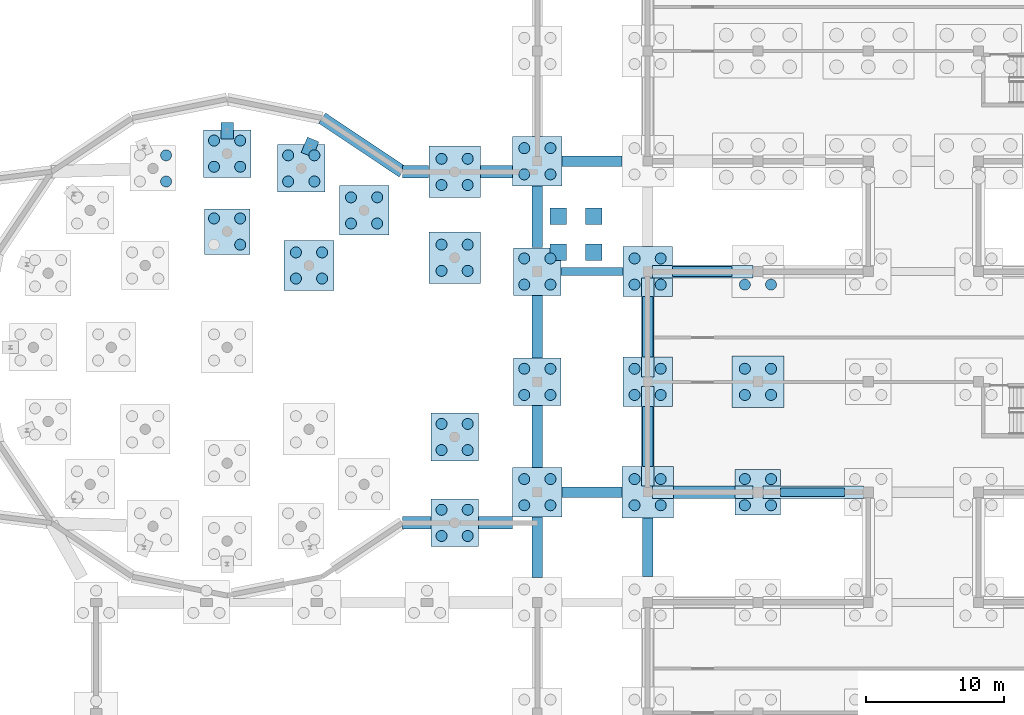
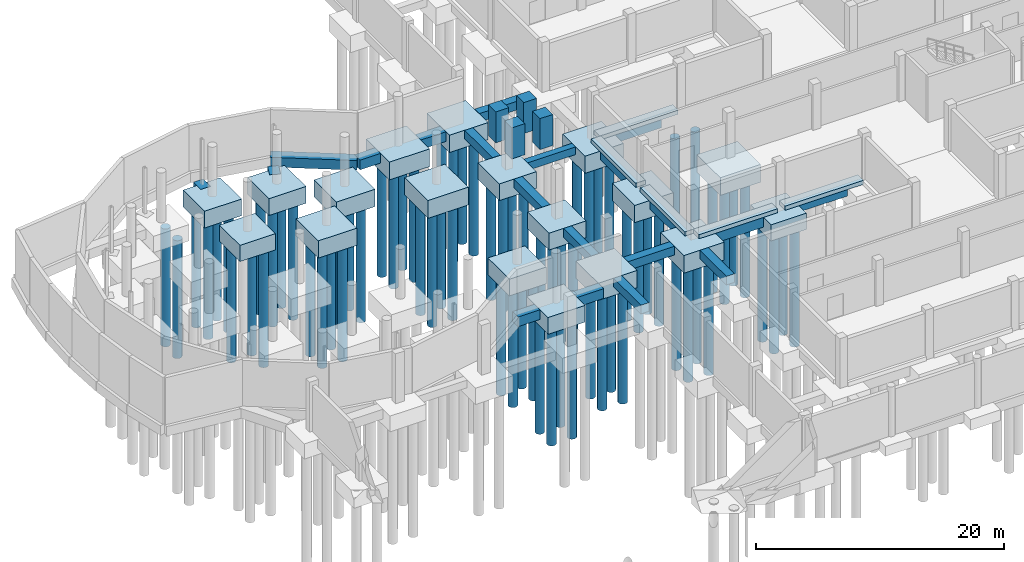
# One storey, part 3 of 51: 75 piles, 47 footings.
"""IFC4 building model written with IfcOpenShell, lengths in metres."""

from ifc_helpers import new_model, si_unit, direction, frame, origin, origin_2d, place, context, subcontext, project, spatial, rectangle, circle, extrude, material, material_profile, profile_set, type_object, element, save


model = new_model("IFC4")

# Units and contexts
model_context = context("Model", 3, precision=1e-05, world=origin(), true_north=direction((0.0, 1.0)))
body_context = subcontext(model_context, "Body", "Model", "MODEL_VIEW")
ifc_project = project(units=[si_unit("LENGTHUNIT", "METRE"), si_unit("AREAUNIT", "SQUARE_METRE"), si_unit("VOLUMEUNIT", "CUBIC_METRE"), si_unit("PLANEANGLEUNIT", "RADIAN"), si_unit("MASSUNIT", "GRAM", prefix="KILO")], contexts=[model_context])

# Site, building, storey
site_placement = place(None, origin())
site = spatial("IfcSite", under=ifc_project, at=site_placement, CompositionType="ELEMENT")
building_placement = place(site_placement, origin())
building = spatial("IfcBuilding", under=site, at=building_placement, Name="Jelvoka-Kovrelna Polytechnic", CompositionType="ELEMENT")
storey_placement = place(building_placement, frame((0.0, 0.0, -4.5)))
storey = spatial("IfcBuildingStorey", under=building, at=storey_placement, Name="B01", CompositionType="ELEMENT", Elevation=-4.5)

# Footings
ifc_material_1 = material(Name="Concrete C35/45", Category="concrete")
footing_type_1 = type_object("IfcFootingType", Name="Footing_Pad_PF1", PredefinedType="PAD_FOOTING", material=ifc_material_1)
for number, where, z_axis, x_axis, name in (
    (1, (49.5, 49.39990234375, -0.40478515625), (0.0, 0.0, 1.0), (1.0, 0.0, 0.0), "Lift pit support pier 05"),
    (2, (52.10009765625, 49.39990234375, -0.40478515625), (0.0, 0.0, 1.0), (1.0, 0.0, 0.0), "Lift pit support pier 06"),
    (3, (49.5, 52.0, -0.40478515625), (0.0, 0.0, 1.0), (1.0, 0.0, 0.0), "Lift pit support pier 07"),
    (4, (52.10009765625, 52.0, -0.40478515625), (0.0, 0.0, 1.0), (1.0, 0.0, 0.0), "Lift pit support pier 08"),
):
    element("IfcFooting", number, at=place(storey_placement, frame(where, z_axis=z_axis, x_axis=x_axis)), inside=storey, type_object=footing_type_1, Name=name, PredefinedType="PAD_FOOTING", context=body_context, shape_type="SweptSolid", body=[
        extrude(rectangle(XDim=1.199951171875, YDim=1.199951171875, at=origin_2d()), origin(), (0.0, 0.0, 1.0), 3.054931640625),
    ])
ifc_material_2 = material(Name="Concrete C35/45", Category="concrete")
footing_type_2 = type_object("IfcFootingType", Name="Footing_PileCap_PC4A", PredefinedType="PILE_CAP", material=ifc_material_2)
for number, where, z_axis, x_axis, name in (
    (5, (64.0, 32.0, -2.005126953125), (0.0, 0.0, 1.0), (1.0, 0.0, 0.0), "Bored pile cap 084 (PC-4)"),
    (6, (25.5, 50.89990234375, -2.005126953125), (0.0, 0.0, 1.0), (1.0, 0.0, 0.0), "Bored pile cap 156 (PC-4)"),
):
    element("IfcFooting", number, at=place(storey_placement, frame(where, z_axis=z_axis, x_axis=x_axis)), inside=storey, type_object=footing_type_2, Name=name, PredefinedType="PILE_CAP", context=body_context, shape_type="SweptSolid", body=[
        extrude(rectangle(XDim=3.300048828125, YDim=3.300048828125, at=origin_2d()), origin(), (0.0, 0.0, 1.0), 1.60009765625),
    ])
ifc_material_3 = material(Name="Concrete C35/45", Category="concrete")
footing_type_3 = type_object("IfcFootingType", Name="Footing_PileCap_PC4B", PredefinedType="PILE_CAP", material=ifc_material_3)
for number, where, z_axis, x_axis, name in (
    (7, (42.0, 29.772216796875, -2.054931640625), (0.0, 0.0, 1.0), (1.0, 0.0, 0.0), "Bored pile cap 081 (PC-4)"),
    (8, (42.0, 36.0, -2.054931640625), (0.0, 0.0, 1.0), (1.0, 0.0, 0.0), "Bored pile cap 105 (PC-4)"),
    (9, (48.0, 40.0, -2.054931640625), (0.0, 0.0, 1.0), (1.0, 0.0, 0.0), "Bored pile cap 109 (PC-4)"),
    (10, (48.0, 48.0, -2.054931640625), (0.0, 0.0, 1.0), (1.0, 0.0, 0.0), "Bored pile cap 133 (PC-4)"),
    (11, (30.876708984375, 55.48046875, -2.054931640625), (0.0, 0.0, 1.0), (1.0, 0.0, 0.0), "Bored pile cap 161 (PC-4)"),
    (12, (25.5, 56.550048828125, -2.054931640625), (0.0, 0.0, 1.0), (1.0, 0.0, 0.0), "Bored pile cap 181 (PC-4)"),
):
    element("IfcFooting", number, at=place(storey_placement, frame(where, z_axis=z_axis, x_axis=x_axis)), inside=storey, type_object=footing_type_3, Name=name, PredefinedType="PILE_CAP", context=body_context, shape_type="SweptSolid", body=[
        extrude(rectangle(XDim=3.449951171875, YDim=3.449951171875, at=origin_2d()), origin(), (0.0, 0.0, 1.0), 1.64990234375),
    ])
ifc_material_4 = material(Name="Concrete C35/45", Category="concrete")
footing_type_4 = type_object("IfcFootingType", Name="Footing_PileCap_PC4C", PredefinedType="PILE_CAP", material=ifc_material_4)
for number, where, z_axis, x_axis, name in (
    (13, (48.0, 32.0, -2.10498046875), (0.0, 0.0, 1.0), (1.0, 0.0, 0.0), "Bored pile cap 082 (PC-4)"),
    (14, (56.0, 40.0, -2.10498046875), (0.0, 0.0, 1.0), (1.0, 0.0, 0.0), "Bored pile cap 110 (PC-4)"),
    (15, (56.0, 48.0, -2.10498046875), (0.0, 0.0, 1.0), (1.0, 0.0, 0.0), "Bored pile cap 134 (PC-4)"),
    (16, (31.439697265625, 48.439697265625, -2.10498046875), (0.0, 0.0, 1.0), (1.0, 0.0, 0.0), "Bored pile cap 154 (PC-4)"),
    (17, (35.434814453125, 52.434814453125, -2.10498046875), (0.0, 0.0, 1.0), (1.0, 0.0, 0.0), "Bored pile cap 158 (PC-4)"),
    (18, (48.0, 56.0, -2.10498046875), (0.0, 0.0, 1.0), (1.0, 0.0, 0.0), "Bored pile cap 162 (PC-4)"),
):
    element("IfcFooting", number, at=place(storey_placement, frame(where, z_axis=z_axis, x_axis=x_axis)), inside=storey, type_object=footing_type_4, Name=name, PredefinedType="PILE_CAP", context=body_context, shape_type="SweptSolid", body=[
        extrude(rectangle(XDim=3.60009765625, YDim=3.60009765625, at=origin_2d()), origin(), (0.0, 0.0, 1.0), 1.699951171875),
    ])
ifc_material_5 = material(Name="Concrete C35/45", Category="concrete")
footing_type_5 = type_object("IfcFootingType", Name="Footing_PileCap_PC4D", PredefinedType="PILE_CAP", material=ifc_material_5)
for number, where, z_axis, x_axis, name in (
    (19, (56.0, 32.0, -2.155029296875), (0.0, 0.0, 1.0), (1.0, 0.0, 0.0), "Bored pile cap 083 (PC-4)"),
    (20, (64.0, 40.0, -2.155029296875), (0.0, 0.0, 1.0), (1.0, 0.0, 0.0), "Bored pile cap 111 (PC-4)"),
    (21, (42.0, 49.0, -2.155029296875), (0.0, 0.0, 1.0), (1.0, 0.0, 0.0), "Bored pile cap 155 (PC-4)"),
    (22, (42.0, 55.227783203125, -2.155029296875), (0.0, 0.0, 1.0), (1.0, 0.0, 0.0), "Bored pile cap 159 (PC-4)"),
):
    element("IfcFooting", number, at=place(storey_placement, frame(where, z_axis=z_axis, x_axis=x_axis)), inside=storey, type_object=footing_type_5, Name=name, PredefinedType="PILE_CAP", context=body_context, shape_type="SweptSolid", body=[
        extrude(rectangle(XDim=3.75, YDim=3.75, at=origin_2d()), origin(), (0.0, 0.0, 1.0), 1.75),
    ])
ifc_material_6 = material(Name="Concrete C35/45", Category="concrete")
footing_type_6 = type_object("IfcFootingType", Name="Footing_Strip_SF1", PredefinedType="STRIP_FOOTING", material=ifc_material_6)
footing_1_placement = place(storey_placement, frame((51.96240234375, 48.0, -1.155029296875), z_axis=(0.0, 0.0, 1.0), x_axis=(1.0, 0.0, 0.0)))
element("IfcFooting", 23, at=footing_1_placement, inside=storey, type_object=footing_type_6, Name="Strip foundation tie beam 022", PredefinedType="STRIP_FOOTING", context=body_context, shape_type="SweptSolid", body=[
    extrude(rectangle(XDim=4.470947265625, YDim=0.60009765625, at=origin_2d()), origin(), (0.0, 0.0, 1.0), 0.75),
])
footing_2_placement = place(storey_placement, frame((67.96240234375, 32.0, -1.155029296875), z_axis=(0.0, 0.0, 1.0), x_axis=(1.0, 0.0, 0.0)))
element("IfcFooting", 24, at=footing_2_placement, inside=storey, type_object=footing_type_6, Name="Strip foundation tie beam 055", PredefinedType="STRIP_FOOTING", context=body_context, shape_type="SweptSolid", body=[
    extrude(rectangle(XDim=4.62109375, YDim=0.60009765625, at=origin_2d()), origin(), (0.0, 0.0, 1.0), 0.75),
])
ifc_material_7 = material(Name="Concrete C35/45", Category="concrete")
footing_type_7 = type_object("IfcFootingType", Name="Footing_Strip_SF2", PredefinedType="STRIP_FOOTING", material=ifc_material_7)
footing_3_placement = place(storey_placement, frame((48.0, 28.0, -1.255126953125), z_axis=(0.0, 0.0, 1.0), x_axis=(0.0, 1.0, 0.0)))
element("IfcFooting", 25, at=footing_3_placement, inside=storey, type_object=footing_type_7, Name="Strip foundation tie beam 018", PredefinedType="STRIP_FOOTING", context=body_context, shape_type="SweptSolid", body=[
    extrude(rectangle(XDim=4.39599609375, YDim=0.75, at=origin_2d()), origin(), (0.0, 0.0, 1.0), 0.85009765625),
])
footing_4_placement = place(storey_placement, frame((51.96240234375, 32.0, -1.255126953125), z_axis=(0.0, 0.0, 1.0), x_axis=(1.0, 0.0, 0.0)))
element("IfcFooting", 26, at=footing_4_placement, inside=storey, type_object=footing_type_7, Name="Strip foundation tie beam 019", PredefinedType="STRIP_FOOTING", context=body_context, shape_type="SweptSolid", body=[
    extrude(rectangle(XDim=4.321044921875, YDim=0.75, at=origin_2d()), origin(), (0.0, 0.0, 1.0), 0.85009765625),
])
footing_5_placement = place(storey_placement, frame((48.0, 36.03759765625, -1.255126953125), z_axis=(0.0, 0.0, 1.0), x_axis=(0.0, 1.0, 0.0)))
element("IfcFooting", 27, at=footing_5_placement, inside=storey, type_object=footing_type_7, Name="Strip foundation tie beam 020", PredefinedType="STRIP_FOOTING", context=body_context, shape_type="SweptSolid", body=[
    extrude(rectangle(XDim=4.470947265625, YDim=0.75, at=origin_2d()), origin(), (0.0, 0.0, 1.0), 0.85009765625),
])
footing_6_placement = place(storey_placement, frame((48.0, 44.0, -1.255126953125), z_axis=(0.0, 0.0, 1.0), x_axis=(0.0, 1.0, 0.0)))
element("IfcFooting", 28, at=footing_6_placement, inside=storey, type_object=footing_type_7, Name="Strip foundation tie beam 021", PredefinedType="STRIP_FOOTING", context=body_context, shape_type="SweptSolid", body=[
    extrude(rectangle(XDim=4.5458984375, YDim=0.75, at=origin_2d()), origin(), (0.0, 0.0, 1.0), 0.85009765625),
])
footing_7_placement = place(storey_placement, frame((48.0, 51.96240234375, -1.255126953125), z_axis=(0.0, 0.0, 1.0), x_axis=(0.0, 1.0, 0.0)))
element("IfcFooting", 29, at=footing_7_placement, inside=storey, type_object=footing_type_7, Name="Strip foundation tie beam 023", PredefinedType="STRIP_FOOTING", context=body_context, shape_type="SweptSolid", body=[
    extrude(rectangle(XDim=4.470947265625, YDim=0.75, at=origin_2d()), origin(), (0.0, 0.0, 1.0), 0.85009765625),
])
footing_8_placement = place(storey_placement, frame((51.96240234375, 56.0, -1.255126953125), z_axis=(0.0, 0.0, 1.0), x_axis=(1.0, 0.0, 0.0)))
element("IfcFooting", 30, at=footing_8_placement, inside=storey, type_object=footing_type_7, Name="Strip foundation tie beam 024", PredefinedType="STRIP_FOOTING", context=body_context, shape_type="SweptSolid", body=[
    extrude(rectangle(XDim=4.321044921875, YDim=0.75, at=origin_2d()), origin(), (0.0, 0.0, 1.0), 0.85009765625),
])
footing_9_placement = place(storey_placement, frame((56.0, 28.0, -1.255126953125), z_axis=(0.0, 0.0, 1.0), x_axis=(0.0, 1.0, 0.0)))
element("IfcFooting", 31, at=footing_9_placement, inside=storey, type_object=footing_type_7, Name="Strip foundation tie beam 038", PredefinedType="STRIP_FOOTING", context=body_context, shape_type="SweptSolid", body=[
    extrude(rectangle(XDim=4.24609375, YDim=0.75, at=origin_2d()), origin(), (0.0, 0.0, 1.0), 0.85009765625),
])
footing_10_placement = place(storey_placement, frame((56.0, 36.03759765625, -1.255126953125), z_axis=(0.0, 0.0, 1.0), x_axis=(0.0, 1.0, 0.0)))
element("IfcFooting", 32, at=footing_10_placement, inside=storey, type_object=footing_type_7, Name="Strip foundation tie beam 040", PredefinedType="STRIP_FOOTING", context=body_context, shape_type="SweptSolid", body=[
    extrude(rectangle(XDim=4.321044921875, YDim=0.75, at=origin_2d()), origin(), (0.0, 0.0, 1.0), 0.85009765625),
])
footing_11_placement = place(storey_placement, frame((56.0, 44.0, -1.255126953125), z_axis=(0.0, 0.0, 1.0), x_axis=(0.0, 1.0, 0.0)))
element("IfcFooting", 33, at=footing_11_placement, inside=storey, type_object=footing_type_7, Name="Strip foundation tie beam 041", PredefinedType="STRIP_FOOTING", context=body_context, shape_type="SweptSolid", body=[
    extrude(rectangle(XDim=4.39599609375, YDim=0.75, at=origin_2d()), origin(), (0.0, 0.0, 1.0), 0.85009765625),
])
footing_12_placement = place(storey_placement, frame((59.96240234375, 48.0, -1.255126953125), z_axis=(0.0, 0.0, 1.0), x_axis=(1.0, 0.0, 0.0)))
element("IfcFooting", 34, at=footing_12_placement, inside=storey, type_object=footing_type_7, Name="Strip foundation tie beam 042", PredefinedType="STRIP_FOOTING", context=body_context, shape_type="SweptSolid", body=[
    extrude(rectangle(XDim=4.321044921875, YDim=0.75, at=origin_2d()), origin(), (0.0, 0.0, 1.0), 0.85009765625),
])
ifc_material_8 = material(Name="Concrete C35/45", Category="concrete")
footing_type_8 = type_object("IfcFootingType", Name="Footing_Strip_SF3", PredefinedType="STRIP_FOOTING", material=ifc_material_8)
footing_13_placement = place(storey_placement, frame((60.112548828125, 32.0, -1.35498046875), z_axis=(0.0, 0.0, 1.0), x_axis=(1.0, 0.0, 0.0)))
element("IfcFooting", 35, at=footing_13_placement, inside=storey, type_object=footing_type_8, Name="Strip foundation tie beam 039", PredefinedType="STRIP_FOOTING", context=body_context, shape_type="SweptSolid", body=[
    extrude(rectangle(XDim=4.470947265625, YDim=0.89990234375, at=origin_2d()), origin(), (0.0, 0.0, 1.0), 0.949951171875),
])
footing_14_placement = place(storey_placement, frame((35.30810546875, 57.1787109375, -1.35498046875), z_axis=(0.0, 0.0, 1.0), x_axis=(-0.831469612303, 0.55557023302, 0.0)))
element("IfcFooting", 36, at=footing_14_placement, inside=storey, type_object=footing_type_8, Name="Strip foundation tie beam 301", PredefinedType="STRIP_FOOTING", context=body_context, shape_type="SweptSolid", body=[
    extrude(rectangle(XDim=7.023193359375, YDim=0.89990234375, at=origin_2d()), origin(), (0.0, 0.0, 1.0), 0.949951171875),
])
footing_15_placement = place(storey_placement, frame((45.03759765625, 55.227783203125, -1.35498046875), z_axis=(0.0, 0.0, 1.0), x_axis=(1.0, 0.0, 0.0)))
element("IfcFooting", 37, at=footing_15_placement, inside=storey, type_object=footing_type_8, Name="Strip foundation tie beam 313", PredefinedType="STRIP_FOOTING", context=body_context, shape_type="SweptSolid", body=[
    extrude(rectangle(XDim=2.321044921875, YDim=0.89990234375, at=origin_2d()), origin(), (0.0, 0.0, 1.0), 0.949951171875),
])
footing_16_placement = place(storey_placement, frame((39.17529296875, 55.227783203125, -1.35498046875), z_axis=(0.0, 0.0, 1.0), x_axis=(1.0, 0.0, 0.0)))
element("IfcFooting", 38, at=footing_16_placement, inside=storey, type_object=footing_type_8, Name="Strip foundation tie beam 314", PredefinedType="STRIP_FOOTING", context=body_context, shape_type="SweptSolid", body=[
    extrude(rectangle(XDim=1.89501953125, YDim=0.89990234375, at=origin_2d()), origin(), (0.0, 0.0, 1.0), 0.949951171875),
])
footing_17_placement = place(storey_placement, frame((39.25048828125, 29.772216796875, -1.35498046875), z_axis=(0.0, 0.0, 1.0), x_axis=(1.0, 0.0, 0.0)))
element("IfcFooting", 39, at=footing_17_placement, inside=storey, type_object=footing_type_8, Name="Strip foundation tie beam 315", PredefinedType="STRIP_FOOTING", context=body_context, shape_type="SweptSolid", body=[
    extrude(rectangle(XDim=2.045166015625, YDim=0.89990234375, at=origin_2d()), origin(), (0.0, 0.0, 1.0), 0.949951171875),
])
footing_18_placement = place(storey_placement, frame((44.96240234375, 29.772216796875, -1.35498046875), z_axis=(0.0, 0.0, 1.0), x_axis=(1.0, 0.0, 0.0)))
element("IfcFooting", 40, at=footing_18_placement, inside=storey, type_object=footing_type_8, Name="Strip foundation tie beam 316", PredefinedType="STRIP_FOOTING", context=body_context, shape_type="SweptSolid", body=[
    extrude(rectangle(XDim=2.470947265625, YDim=0.89990234375, at=origin_2d()), origin(), (0.0, 0.0, 1.0), 0.949951171875),
])
for number, where, z_axis, x_axis, name in (
    (41, (31.515869140625, 57.0234375, -1.35498046875), (0.0, 0.0, 1.0), (0.382683432365, 0.923879532511, 0.0), "B01 rotunda gallery post strip footing 01"),
    (42, (25.5, 58.219970703125, -1.35498046875), (0.0, 0.0, 1.0), (0.0, 1.0, 0.0), "B01 rotunda gallery post strip footing 02"),
):
    element("IfcFooting", number, at=place(storey_placement, frame(where, z_axis=z_axis, x_axis=x_axis)), inside=storey, type_object=footing_type_8, Name=name, PredefinedType="STRIP_FOOTING", context=body_context, shape_type="SweptSolid", body=[
        extrude(rectangle(XDim=1.199951171875, YDim=0.89990234375, at=origin_2d()), origin(), (0.0, 0.0, 1.0), 0.949951171875),
    ])
for number, where, z_axis, x_axis, name in (
    (43, (60.0, 32.0, -0.40478515625), (0.0, 0.0, 1.0), (1.0, 0.0, 0.0), "Strip foundation plinth beam B01W-037"),
    (44, (60.0, 48.0, -0.40478515625), (0.0, 0.0, 1.0), (1.0, 0.0, 0.0), "Strip foundation plinth beam B01W-038"),
    (45, (68.0, 32.0, -0.40478515625), (0.0, 0.0, 1.0), (1.0, 0.0, 0.0), "Strip foundation plinth beam B01W-039"),
):
    element("IfcFooting", number, at=place(storey_placement, frame(where, z_axis=z_axis, x_axis=x_axis)), inside=storey, type_object=footing_type_8, Name=name, PredefinedType="STRIP_FOOTING", context=body_context, shape_type="SweptSolid", body=[
        extrude(rectangle(XDim=7.300048828125, YDim=0.89990234375, at=origin_2d()), origin(), (0.0, 0.0, 1.0), 0.405029296875),
    ])
for number, where, z_axis, x_axis, name in (
    (46, (56.0, 36.051025390625, -0.40478515625), (0.0, 0.0, 1.0), (0.0, 1.0, 0.0), "Strip foundation plinth beam B01W-067"),
    (47, (56.0, 43.948974609375, -0.40478515625), (0.0, 0.0, 1.0), (0.0, 1.0, 0.0), "Strip foundation plinth beam B01W-069"),
):
    element("IfcFooting", number, at=place(storey_placement, frame(where, z_axis=z_axis, x_axis=x_axis)), inside=storey, type_object=footing_type_8, Name=name, PredefinedType="STRIP_FOOTING", context=body_context, shape_type="SweptSolid", body=[
        extrude(rectangle(XDim=7.197998046875, YDim=0.89990234375, at=origin_2d()), origin(), (0.0, 0.0, 1.0), 0.405029296875),
    ])

# Piles
ifc_material_9 = material(Name="Concrete C35/45", Category="concrete")
ifc_material_profile = material_profile(ifc_material_9, circle(Radius=0.39990234375, at=origin_2d()), Name="PILE D800")
ifc_profile_set = profile_set([ifc_material_profile], Name="Concrete C35/45")
pile_type = type_object("IfcPileType", Name="Pile_Bored_800", PredefinedType="BORED", material=ifc_profile_set)
for number, where, z_axis, x_axis, name in (
    (48, (41.050048828125, 28.822021484375, -1.955078125), (0.0, 0.0, -1.0), (1.0, 0.0, 0.0), "Bored concrete pile 081-1"),
    (49, (42.949951171875, 28.822021484375, -1.955078125), (0.0, 0.0, -1.0), (1.0, 0.0, 0.0), "Bored concrete pile 081-2"),
    (50, (41.050048828125, 30.72216796875, -1.955078125), (0.0, 0.0, -1.0), (1.0, 0.0, 0.0), "Bored concrete pile 081-3"),
    (51, (42.949951171875, 30.72216796875, -1.955078125), (0.0, 0.0, -1.0), (1.0, 0.0, 0.0), "Bored concrete pile 081-4"),
):
    element("IfcPile", number, at=place(storey_placement, frame(where, z_axis=z_axis, x_axis=x_axis)), inside=storey, type_object=pile_type, Name=name, PredefinedType="BORED", context=body_context, shape_type="SweptSolid", body=[
        extrude(circle(Radius=0.39990234375, at=origin_2d()), origin(), (0.0, 0.0, 1.0), 11.544921875),
    ])
for number, where, z_axis, x_axis, name in (
    (52, (47.050048828125, 31.050048828125, -2.0048828125), (0.0, 0.0, -1.0), (1.0, 0.0, 0.0), "Bored concrete pile 082-1"),
    (53, (48.949951171875, 31.050048828125, -2.0048828125), (0.0, 0.0, -1.0), (1.0, 0.0, 0.0), "Bored concrete pile 082-2"),
    (54, (47.050048828125, 32.949951171875, -2.0048828125), (0.0, 0.0, -1.0), (1.0, 0.0, 0.0), "Bored concrete pile 082-3"),
    (55, (48.949951171875, 32.949951171875, -2.0048828125), (0.0, 0.0, -1.0), (1.0, 0.0, 0.0), "Bored concrete pile 082-4"),
):
    element("IfcPile", number, at=place(storey_placement, frame(where, z_axis=z_axis, x_axis=x_axis)), inside=storey, type_object=pile_type, Name=name, PredefinedType="BORED", context=body_context, shape_type="SweptSolid", body=[
        extrude(circle(Radius=0.39990234375, at=origin_2d()), origin(), (0.0, 0.0, 1.0), 11.4951171875),
    ])
for number, where, z_axis, x_axis, name in (
    (56, (55.050048828125, 31.050048828125, -2.054931640625), (0.0, 0.0, -1.0), (1.0, 0.0, 0.0), "Bored concrete pile 083-1"),
    (57, (56.949951171875, 31.050048828125, -2.054931640625), (0.0, 0.0, -1.0), (1.0, 0.0, 0.0), "Bored concrete pile 083-2"),
    (58, (55.050048828125, 32.949951171875, -2.054931640625), (0.0, 0.0, -1.0), (1.0, 0.0, 0.0), "Bored concrete pile 083-3"),
    (59, (56.949951171875, 32.949951171875, -2.054931640625), (0.0, 0.0, -1.0), (1.0, 0.0, 0.0), "Bored concrete pile 083-4"),
):
    element("IfcPile", number, at=place(storey_placement, frame(where, z_axis=z_axis, x_axis=x_axis)), inside=storey, type_object=pile_type, Name=name, PredefinedType="BORED", context=body_context, shape_type="SweptSolid", body=[
        extrude(circle(Radius=0.39990234375, at=origin_2d()), origin(), (0.0, 0.0, 1.0), 11.445068359375),
    ])
for number, where, z_axis, x_axis, name in (
    (60, (63.050048828125, 31.050048828125, -1.905029296875), (0.0, 0.0, -1.0), (1.0, 0.0, 0.0), "Bored concrete pile 084-1"),
    (61, (64.949951171875, 31.050048828125, -1.905029296875), (0.0, 0.0, -1.0), (1.0, 0.0, 0.0), "Bored concrete pile 084-2"),
    (62, (63.050048828125, 32.949951171875, -1.905029296875), (0.0, 0.0, -1.0), (1.0, 0.0, 0.0), "Bored concrete pile 084-3"),
    (63, (64.949951171875, 32.949951171875, -1.905029296875), (0.0, 0.0, -1.0), (1.0, 0.0, 0.0), "Bored concrete pile 084-4"),
):
    element("IfcPile", number, at=place(storey_placement, frame(where, z_axis=z_axis, x_axis=x_axis)), inside=storey, type_object=pile_type, Name=name, PredefinedType="BORED", context=body_context, shape_type="SweptSolid", body=[
        extrude(circle(Radius=0.39990234375, at=origin_2d()), origin(), (0.0, 0.0, 1.0), 11.594970703125),
    ])
for number, where, z_axis, x_axis, name in (
    (64, (41.050048828125, 35.050048828125, -1.955078125), (0.0, 0.0, -1.0), (1.0, 0.0, 0.0), "Bored concrete pile 105-1"),
    (65, (42.949951171875, 35.050048828125, -1.955078125), (0.0, 0.0, -1.0), (1.0, 0.0, 0.0), "Bored concrete pile 105-2"),
    (66, (41.050048828125, 36.949951171875, -1.955078125), (0.0, 0.0, -1.0), (1.0, 0.0, 0.0), "Bored concrete pile 105-3"),
    (67, (42.949951171875, 36.949951171875, -1.955078125), (0.0, 0.0, -1.0), (1.0, 0.0, 0.0), "Bored concrete pile 105-4"),
    (68, (47.050048828125, 39.050048828125, -1.955078125), (0.0, 0.0, -1.0), (1.0, 0.0, 0.0), "Bored concrete pile 109-1"),
    (69, (48.949951171875, 39.050048828125, -1.955078125), (0.0, 0.0, -1.0), (1.0, 0.0, 0.0), "Bored concrete pile 109-2"),
    (70, (47.050048828125, 40.949951171875, -1.955078125), (0.0, 0.0, -1.0), (1.0, 0.0, 0.0), "Bored concrete pile 109-3"),
    (71, (48.949951171875, 40.949951171875, -1.955078125), (0.0, 0.0, -1.0), (1.0, 0.0, 0.0), "Bored concrete pile 109-4"),
):
    element("IfcPile", number, at=place(storey_placement, frame(where, z_axis=z_axis, x_axis=x_axis)), inside=storey, type_object=pile_type, Name=name, PredefinedType="BORED", context=body_context, shape_type="SweptSolid", body=[
        extrude(circle(Radius=0.39990234375, at=origin_2d()), origin(), (0.0, 0.0, 1.0), 11.544921875),
    ])
for number, where, z_axis, x_axis, name in (
    (72, (55.050048828125, 39.050048828125, -2.0048828125), (0.0, 0.0, -1.0), (1.0, 0.0, 0.0), "Bored concrete pile 110-1"),
    (73, (56.949951171875, 39.050048828125, -2.0048828125), (0.0, 0.0, -1.0), (1.0, 0.0, 0.0), "Bored concrete pile 110-2"),
    (74, (55.050048828125, 40.949951171875, -2.0048828125), (0.0, 0.0, -1.0), (1.0, 0.0, 0.0), "Bored concrete pile 110-3"),
    (75, (56.949951171875, 40.949951171875, -2.0048828125), (0.0, 0.0, -1.0), (1.0, 0.0, 0.0), "Bored concrete pile 110-4"),
):
    element("IfcPile", number, at=place(storey_placement, frame(where, z_axis=z_axis, x_axis=x_axis)), inside=storey, type_object=pile_type, Name=name, PredefinedType="BORED", context=body_context, shape_type="SweptSolid", body=[
        extrude(circle(Radius=0.39990234375, at=origin_2d()), origin(), (0.0, 0.0, 1.0), 11.4951171875),
    ])
for number, where, z_axis, x_axis, name in (
    (76, (63.050048828125, 39.050048828125, -2.054931640625), (0.0, 0.0, -1.0), (1.0, 0.0, 0.0), "Bored concrete pile 111-1"),
    (77, (64.949951171875, 39.050048828125, -2.054931640625), (0.0, 0.0, -1.0), (1.0, 0.0, 0.0), "Bored concrete pile 111-2"),
    (78, (63.050048828125, 40.949951171875, -2.054931640625), (0.0, 0.0, -1.0), (1.0, 0.0, 0.0), "Bored concrete pile 111-3"),
    (79, (64.949951171875, 40.949951171875, -2.054931640625), (0.0, 0.0, -1.0), (1.0, 0.0, 0.0), "Bored concrete pile 111-4"),
):
    element("IfcPile", number, at=place(storey_placement, frame(where, z_axis=z_axis, x_axis=x_axis)), inside=storey, type_object=pile_type, Name=name, PredefinedType="BORED", context=body_context, shape_type="SweptSolid", body=[
        extrude(circle(Radius=0.39990234375, at=origin_2d()), origin(), (0.0, 0.0, 1.0), 11.445068359375),
    ])
for number, where, z_axis, x_axis, name in (
    (80, (47.050048828125, 47.050048828125, -1.955078125), (0.0, 0.0, -1.0), (1.0, 0.0, 0.0), "Bored concrete pile 133-1"),
    (81, (48.949951171875, 47.050048828125, -1.955078125), (0.0, 0.0, -1.0), (1.0, 0.0, 0.0), "Bored concrete pile 133-2"),
    (82, (47.050048828125, 48.949951171875, -1.955078125), (0.0, 0.0, -1.0), (1.0, 0.0, 0.0), "Bored concrete pile 133-3"),
    (83, (48.949951171875, 48.949951171875, -1.955078125), (0.0, 0.0, -1.0), (1.0, 0.0, 0.0), "Bored concrete pile 133-4"),
):
    element("IfcPile", number, at=place(storey_placement, frame(where, z_axis=z_axis, x_axis=x_axis)), inside=storey, type_object=pile_type, Name=name, PredefinedType="BORED", context=body_context, shape_type="SweptSolid", body=[
        extrude(circle(Radius=0.39990234375, at=origin_2d()), origin(), (0.0, 0.0, 1.0), 11.544921875),
    ])
for number, where, z_axis, x_axis, name in (
    (84, (55.050048828125, 47.050048828125, -2.0048828125), (0.0, 0.0, -1.0), (1.0, 0.0, 0.0), "Bored concrete pile 134-1"),
    (85, (56.949951171875, 47.050048828125, -2.0048828125), (0.0, 0.0, -1.0), (1.0, 0.0, 0.0), "Bored concrete pile 134-2"),
    (86, (55.050048828125, 48.949951171875, -2.0048828125), (0.0, 0.0, -1.0), (1.0, 0.0, 0.0), "Bored concrete pile 134-3"),
    (87, (56.949951171875, 48.949951171875, -2.0048828125), (0.0, 0.0, -1.0), (1.0, 0.0, 0.0), "Bored concrete pile 134-4"),
):
    element("IfcPile", number, at=place(storey_placement, frame(where, z_axis=z_axis, x_axis=x_axis)), inside=storey, type_object=pile_type, Name=name, PredefinedType="BORED", context=body_context, shape_type="SweptSolid", body=[
        extrude(circle(Radius=0.39990234375, at=origin_2d()), origin(), (0.0, 0.0, 1.0), 11.4951171875),
    ])
for number, where, z_axis, x_axis, name in (
    (88, (63.050048828125, 47.050048828125, -2.054931640625), (0.0, 0.0, -1.0), (1.0, 0.0, 0.0), "Bored concrete pile 135-1"),
    (89, (64.949951171875, 47.050048828125, -2.054931640625), (0.0, 0.0, -1.0), (1.0, 0.0, 0.0), "Bored concrete pile 135-2"),
):
    element("IfcPile", number, at=place(storey_placement, frame(where, z_axis=z_axis, x_axis=x_axis)), inside=storey, type_object=pile_type, Name=name, PredefinedType="BORED", context=body_context, shape_type="SweptSolid", body=[
        extrude(circle(Radius=0.39990234375, at=origin_2d()), origin(), (0.0, 0.0, 1.0), 11.445068359375),
    ])
for number, where, z_axis, x_axis, name in (
    (90, (30.48974609375, 47.48974609375, -2.0048828125), (0.0, 0.0, -1.0), (1.0, 0.0, 0.0), "Bored concrete pile 154-1"),
    (91, (32.3896484375, 47.48974609375, -2.0048828125), (0.0, 0.0, -1.0), (1.0, 0.0, 0.0), "Bored concrete pile 154-2"),
    (92, (30.48974609375, 49.3896484375, -2.0048828125), (0.0, 0.0, -1.0), (1.0, 0.0, 0.0), "Bored concrete pile 154-3"),
    (93, (32.3896484375, 49.3896484375, -2.0048828125), (0.0, 0.0, -1.0), (1.0, 0.0, 0.0), "Bored concrete pile 154-4"),
):
    element("IfcPile", number, at=place(storey_placement, frame(where, z_axis=z_axis, x_axis=x_axis)), inside=storey, type_object=pile_type, Name=name, PredefinedType="BORED", context=body_context, shape_type="SweptSolid", body=[
        extrude(circle(Radius=0.39990234375, at=origin_2d()), origin(), (0.0, 0.0, 1.0), 11.4951171875),
    ])
for number, where, z_axis, x_axis, name in (
    (94, (41.050048828125, 48.050048828125, -2.054931640625), (0.0, 0.0, -1.0), (1.0, 0.0, 0.0), "Bored concrete pile 155-1"),
    (95, (42.949951171875, 48.050048828125, -2.054931640625), (0.0, 0.0, -1.0), (1.0, 0.0, 0.0), "Bored concrete pile 155-2"),
    (96, (41.050048828125, 49.949951171875, -2.054931640625), (0.0, 0.0, -1.0), (1.0, 0.0, 0.0), "Bored concrete pile 155-3"),
    (97, (42.949951171875, 49.949951171875, -2.054931640625), (0.0, 0.0, -1.0), (1.0, 0.0, 0.0), "Bored concrete pile 155-4"),
):
    element("IfcPile", number, at=place(storey_placement, frame(where, z_axis=z_axis, x_axis=x_axis)), inside=storey, type_object=pile_type, Name=name, PredefinedType="BORED", context=body_context, shape_type="SweptSolid", body=[
        extrude(circle(Radius=0.39990234375, at=origin_2d()), origin(), (0.0, 0.0, 1.0), 11.445068359375),
    ])
for number, where, z_axis, x_axis, name in (
    (98, (26.449951171875, 49.949951171875, -1.905029296875), (0.0, 0.0, -1.0), (1.0, 0.0, 0.0), "Bored concrete pile 156-2"),
    (99, (24.550048828125, 51.85009765625, -1.905029296875), (0.0, 0.0, -1.0), (1.0, 0.0, 0.0), "Bored concrete pile 156-3"),
    (100, (26.449951171875, 51.85009765625, -1.905029296875), (0.0, 0.0, -1.0), (1.0, 0.0, 0.0), "Bored concrete pile 156-4"),
):
    element("IfcPile", number, at=place(storey_placement, frame(where, z_axis=z_axis, x_axis=x_axis)), inside=storey, type_object=pile_type, Name=name, PredefinedType="BORED", context=body_context, shape_type="SweptSolid", body=[
        extrude(circle(Radius=0.39990234375, at=origin_2d()), origin(), (0.0, 0.0, 1.0), 11.594970703125),
    ])
for number, where, z_axis, x_axis, name in (
    (101, (34.48486328125, 51.48486328125, -2.0048828125), (0.0, 0.0, -1.0), (1.0, 0.0, 0.0), "Bored concrete pile 158-1"),
    (102, (36.385009765625, 51.48486328125, -2.0048828125), (0.0, 0.0, -1.0), (1.0, 0.0, 0.0), "Bored concrete pile 158-2"),
    (103, (34.48486328125, 53.385009765625, -2.0048828125), (0.0, 0.0, -1.0), (1.0, 0.0, 0.0), "Bored concrete pile 158-3"),
    (104, (36.385009765625, 53.385009765625, -2.0048828125), (0.0, 0.0, -1.0), (1.0, 0.0, 0.0), "Bored concrete pile 158-4"),
):
    element("IfcPile", number, at=place(storey_placement, frame(where, z_axis=z_axis, x_axis=x_axis)), inside=storey, type_object=pile_type, Name=name, PredefinedType="BORED", context=body_context, shape_type="SweptSolid", body=[
        extrude(circle(Radius=0.39990234375, at=origin_2d()), origin(), (0.0, 0.0, 1.0), 11.4951171875),
    ])
for number, where, z_axis, x_axis, name in (
    (105, (41.050048828125, 54.27783203125, -2.054931640625), (0.0, 0.0, -1.0), (1.0, 0.0, 0.0), "Bored concrete pile 159-1"),
    (106, (42.949951171875, 54.27783203125, -2.054931640625), (0.0, 0.0, -1.0), (1.0, 0.0, 0.0), "Bored concrete pile 159-2"),
    (107, (41.050048828125, 56.177978515625, -2.054931640625), (0.0, 0.0, -1.0), (1.0, 0.0, 0.0), "Bored concrete pile 159-3"),
    (108, (42.949951171875, 56.177978515625, -2.054931640625), (0.0, 0.0, -1.0), (1.0, 0.0, 0.0), "Bored concrete pile 159-4"),
):
    element("IfcPile", number, at=place(storey_placement, frame(where, z_axis=z_axis, x_axis=x_axis)), inside=storey, type_object=pile_type, Name=name, PredefinedType="BORED", context=body_context, shape_type="SweptSolid", body=[
        extrude(circle(Radius=0.39990234375, at=origin_2d()), origin(), (0.0, 0.0, 1.0), 11.445068359375),
    ])
for number, where, z_axis, x_axis, name in (
    (109, (21.0732421875, 54.530517578125, -1.905029296875), (0.0, 0.0, -1.0), (1.0, 0.0, 0.0), "Bored concrete pile 160-2"),
    (110, (21.0732421875, 56.430419921875, -1.905029296875), (0.0, 0.0, -1.0), (1.0, 0.0, 0.0), "Bored concrete pile 160-4"),
):
    element("IfcPile", number, at=place(storey_placement, frame(where, z_axis=z_axis, x_axis=x_axis)), inside=storey, type_object=pile_type, Name=name, PredefinedType="BORED", context=body_context, shape_type="SweptSolid", body=[
        extrude(circle(Radius=0.39990234375, at=origin_2d()), origin(), (0.0, 0.0, 1.0), 11.594970703125),
    ])
for number, where, z_axis, x_axis, name in (
    (111, (29.9267578125, 54.530517578125, -1.955078125), (0.0, 0.0, -1.0), (1.0, 0.0, 0.0), "Bored concrete pile 161-1"),
    (112, (31.82666015625, 54.530517578125, -1.955078125), (0.0, 0.0, -1.0), (1.0, 0.0, 0.0), "Bored concrete pile 161-2"),
    (113, (29.9267578125, 56.430419921875, -1.955078125), (0.0, 0.0, -1.0), (1.0, 0.0, 0.0), "Bored concrete pile 161-3"),
    (114, (31.82666015625, 56.430419921875, -1.955078125), (0.0, 0.0, -1.0), (1.0, 0.0, 0.0), "Bored concrete pile 161-4"),
):
    element("IfcPile", number, at=place(storey_placement, frame(where, z_axis=z_axis, x_axis=x_axis)), inside=storey, type_object=pile_type, Name=name, PredefinedType="BORED", context=body_context, shape_type="SweptSolid", body=[
        extrude(circle(Radius=0.39990234375, at=origin_2d()), origin(), (0.0, 0.0, 1.0), 11.544921875),
    ])
for number, where, z_axis, x_axis, name in (
    (115, (47.050048828125, 55.050048828125, -2.0048828125), (0.0, 0.0, -1.0), (1.0, 0.0, 0.0), "Bored concrete pile 162-1"),
    (116, (48.949951171875, 55.050048828125, -2.0048828125), (0.0, 0.0, -1.0), (1.0, 0.0, 0.0), "Bored concrete pile 162-2"),
    (117, (47.050048828125, 56.949951171875, -2.0048828125), (0.0, 0.0, -1.0), (1.0, 0.0, 0.0), "Bored concrete pile 162-3"),
    (118, (48.949951171875, 56.949951171875, -2.0048828125), (0.0, 0.0, -1.0), (1.0, 0.0, 0.0), "Bored concrete pile 162-4"),
):
    element("IfcPile", number, at=place(storey_placement, frame(where, z_axis=z_axis, x_axis=x_axis)), inside=storey, type_object=pile_type, Name=name, PredefinedType="BORED", context=body_context, shape_type="SweptSolid", body=[
        extrude(circle(Radius=0.39990234375, at=origin_2d()), origin(), (0.0, 0.0, 1.0), 11.4951171875),
    ])
for number, where, z_axis, x_axis, name in (
    (119, (24.550048828125, 55.60009765625, -1.955078125), (0.0, 0.0, -1.0), (1.0, 0.0, 0.0), "Bored concrete pile 181-1"),
    (120, (26.449951171875, 55.60009765625, -1.955078125), (0.0, 0.0, -1.0), (1.0, 0.0, 0.0), "Bored concrete pile 181-2"),
    (121, (24.550048828125, 57.5, -1.955078125), (0.0, 0.0, -1.0), (1.0, 0.0, 0.0), "Bored concrete pile 181-3"),
    (122, (26.449951171875, 57.5, -1.955078125), (0.0, 0.0, -1.0), (1.0, 0.0, 0.0), "Bored concrete pile 181-4"),
):
    element("IfcPile", number, at=place(storey_placement, frame(where, z_axis=z_axis, x_axis=x_axis)), inside=storey, type_object=pile_type, Name=name, PredefinedType="BORED", context=body_context, shape_type="SweptSolid", body=[
        extrude(circle(Radius=0.39990234375, at=origin_2d()), origin(), (0.0, 0.0, 1.0), 11.544921875),
    ])

save(model, "model.ifc")
